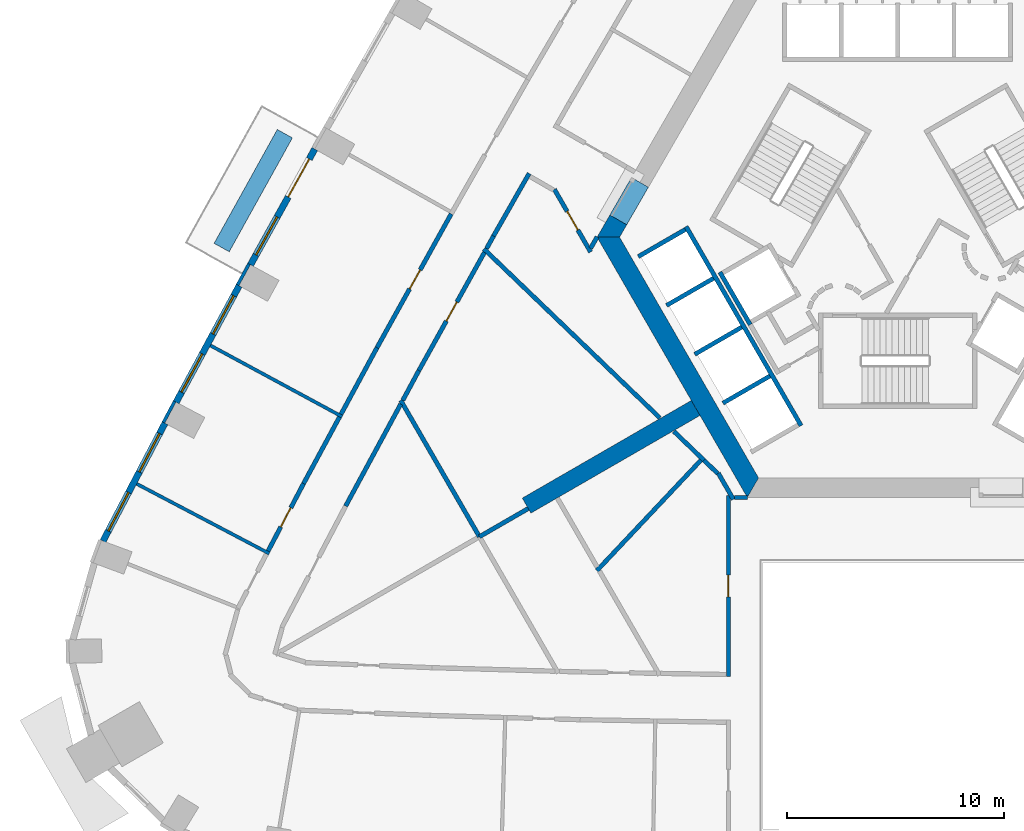
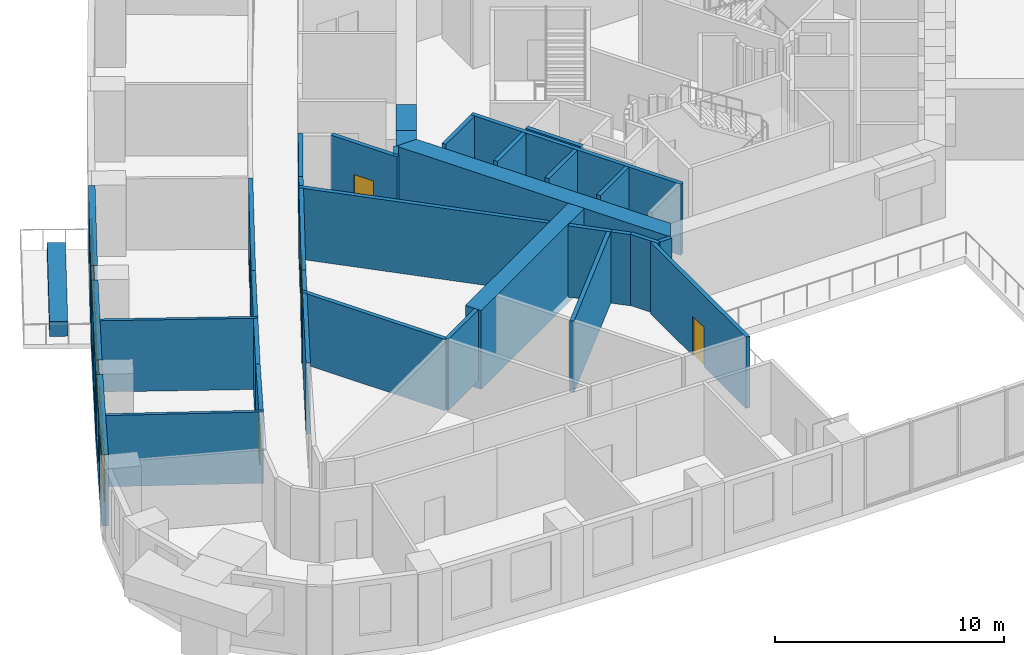
# One storey, part 5 of 15: 38 walls, 6 doors, 5 windows, 11 openings.
"""IFC4 building model written with IfcOpenShell, lengths in metres."""

from ifc_helpers import new_model, si_unit, direction, frame, frame_2d, origin, place, context, subcontext, project, spatial, polyline, rectangle, outline, extrude, material, layer, layer_set, type_object, element, fill, save


model = new_model("IFC4")

# Units and contexts
model_context = context("Model", 3, precision=1e-05, world=origin(), true_north=direction((0.0, 1.0)))
body_context = subcontext(model_context, "Body", "Model", "MODEL_VIEW")
ifc_project = project(units=[si_unit("LENGTHUNIT", "METRE"), si_unit("AREAUNIT", "SQUARE_METRE"), si_unit("VOLUMEUNIT", "CUBIC_METRE"), si_unit("PLANEANGLEUNIT", "RADIAN"), si_unit("MASSUNIT", "GRAM", prefix="KILO")], contexts=[model_context])

# Site, building, storey
site_placement = place(None, origin())
site = spatial("IfcSite", under=ifc_project, at=site_placement, CompositionType="ELEMENT")
building_placement = place(site_placement, origin())
building = spatial("IfcBuilding", under=site, at=building_placement, Name="Entoto Arch Interchange Tower", CompositionType="ELEMENT")
storey_placement = place(building_placement, frame((0.0, 0.0, 107.60009765625)))
storey = spatial("IfcBuildingStorey", under=building, at=storey_placement, Name="L23", CompositionType="ELEMENT", Elevation=107.60009765625)

# Walls
ifc_material_1 = material(Name="Concrete C60/75", Category="concrete")
ifc_layer_1 = layer(ifc_material_1, 0.800048828125)
ifc_layer_set_1 = layer_set([ifc_layer_1], Name="Concrete C60/75")
wall_type_1 = type_object("IfcWallType", Name="Buttress wall 800 C60/75", PredefinedType="SHEAR", material=ifc_layer_set_1)
wall_1_placement = place(storey_placement, frame((-9.31005859375, -5.375, -0.400146484375), z_axis=(0.0, 0.0, 1.0), x_axis=(-0.866017533419, -0.500013631625, 0.0)))
element("IfcWall", 1, at=wall_1_placement, inside=storey, type_object=wall_type_1, Name="Buttress wall SW L23", PredefinedType="SHEAR", context=body_context, shape_type="SweptSolid", body=[
    extrude(rectangle(XDim=8.999755859375, YDim=0.800048828125, at=frame_2d((4.5, 0.0))), origin(), (0.0, 0.0, 1.0), 4.199951171875),
])
ifc_layer_2 = layer(ifc_material_1, 0.89990234375)
ifc_layer_set_2 = layer_set([ifc_layer_2], Name="Concrete C60/75")
wall_type_2 = type_object("IfcWallType", Name="Core wall 900 C60/75", PredefinedType="SHEAR", material=ifc_layer_set_2)
wall_2_placement = place(storey_placement, frame((0.0, 0.0, -0.400146484375)))
element("IfcWall", 2, at=wall_2_placement, inside=storey, type_object=wall_type_2, Name="Core wall NW L23", PredefinedType="SHEAR", context=body_context, shape_type="SweptSolid", body=[
    extrude(outline(polyline([(-12.488037109375, 3.070068359375), (-13.26708984375, 3.52001953125), (-13.85595703125, 2.5), (-12.81689453125, 2.5), (-12.488037109375, 3.070068359375)])), origin(), (0.0, 0.0, 1.0), 4.199951171875),
])
wall_3_placement = place(storey_placement, frame((0.0, 0.0, 3.599853515625)))
element("IfcWall", 3, at=wall_3_placement, inside=storey, type_object=wall_type_2, Name="Core wall lintel NW L23", PredefinedType="SHEAR", context=body_context, shape_type="SweptSolid", body=[
    extrude(outline(polyline([(-13.26708984375, 3.52001953125), (-12.488037109375, 3.070068359375), (-11.488037109375, 4.802001953125), (-12.26708984375, 5.251953125), (-13.26708984375, 3.52001953125)])), origin(), (0.0, 0.0, 1.0), 0.199951171875),
])
wall_4_placement = place(storey_placement, frame((0.0, 0.0, -0.400146484375)))
element("IfcWall", 4, at=wall_4_placement, inside=storey, type_object=wall_type_2, Name="Core wall SW L23", PredefinedType="SHEAR", context=body_context, shape_type="SweptSolid", body=[
    extrude(outline(polyline([(-13.85595703125, 2.5), (-6.927978515625, -9.5), (-6.408935546875, -8.60009765625), (-12.81689453125, 2.5), (-13.85595703125, 2.5)])), origin(), (0.0, 0.0, 1.0), 4.199951171875),
])
ifc_material_2 = material(Name="Concrete C40/50", Category="concrete")
ifc_layer_3 = layer(ifc_material_2, 0.199951171875)
ifc_layer_set_3 = layer_set([ifc_layer_3], Name="Concrete C40/50")
wall_type_3 = type_object("IfcWallType", Name="LIFT SHAFT WALL 200", PredefinedType="STANDARD", material=ifc_layer_set_3)
wall_5_placement = place(storey_placement, frame((-8.19189453125, 0.887939453125, 0.0), z_axis=(0.0, 0.0, 1.0), x_axis=(0.49994636267, -0.866056369097, 0.0)))
element("IfcWall", 5, at=wall_5_placement, inside=storey, type_object=wall_type_3, Name="Shaft wall SW1 back", PredefinedType="STANDARD", context=body_context, shape_type="SweptSolid", body=[
    extrude(rectangle(XDim=2.800048828125, YDim=0.199951171875, at=frame_2d((1.39990234375, 0.0))), origin(), (0.0, 0.0, 1.0), 3.7998046875),
])
wall_6_placement = place(storey_placement, frame((-9.7509765625, 2.989990234375, 0.0), z_axis=(0.0, 0.0, 1.0), x_axis=(0.50000090737, -0.866024879913, 0.0)))
element("IfcWall", 6, at=wall_6_placement, inside=storey, type_object=wall_type_3, Name="Shaft wall SW3 front", PredefinedType="STANDARD", context=body_context, shape_type="SweptSolid", body=[
    extrude(rectangle(XDim=10.60009765625, YDim=0.199951171875, at=frame_2d((5.300048828125, 0.0))), origin(), (0.0, 0.0, 1.0), 3.7998046875),
])
wall_7_placement = place(storey_placement, frame((-9.7880859375, 2.85302734375, 0.0), z_axis=(0.0, 0.0, 1.0), x_axis=(-0.865998541277, -0.500046524342, 0.0)))
element("IfcWall", 7, at=wall_7_placement, inside=storey, type_object=wall_type_3, Name="Shaft wall SW3 cross 1", PredefinedType="STANDARD", context=body_context, shape_type="SweptSolid", body=[
    extrude(rectangle(XDim=2.499755859375, YDim=0.199951171875, at=frame_2d((1.25, 0.0))), origin(), (0.0, 0.0, 1.0), 3.7998046875),
])
for number, where, z_axis, x_axis, name in (
    (8, (-8.488037109375, 0.60205078125, 0.0), (0.0, 0.0, 1.0), (-0.866022959057, -0.500004234368, 0.0), "Shaft wall SW3 cross 2"),
    (9, (-7.18798828125, -1.64990234375, 0.0), (0.0, 0.0, 1.0), (-0.866022959057, -0.500004234368, 0.0), "Shaft wall SW3 cross 3"),
    (10, (-5.887939453125, -3.902099609375, 0.0), (0.0, 0.0, 1.0), (-0.866022959057, -0.500004234368, 0.0), "Shaft wall SW3 cross 4"),
):
    element("IfcWall", number, at=place(storey_placement, frame(where, z_axis=z_axis, x_axis=x_axis)), inside=storey, type_object=wall_type_3, Name=name, PredefinedType="STANDARD", context=body_context, shape_type="SweptSolid", body=[
        extrude(rectangle(XDim=2.5, YDim=0.199951171875, at=frame_2d((1.25, 0.0))), origin(), (0.0, 0.0, 1.0), 3.7998046875),
    ])
ifc_material_3 = material(Name="Gypsum board partition on steel studs", Category="steel")
ifc_layer_4 = layer(ifc_material_3, 0.14990234375)
ifc_layer_set_4 = layer_set([ifc_layer_4], Name="Gypsum board partition on steel studs")
wall_type_4 = type_object("IfcWallType", Name="PARTITION 150", PredefinedType="PARTITIONING", material=ifc_layer_set_4)
wall_8_placement = place(storey_placement, frame((-25.60595703125, -5.77490234375, 0.0), z_axis=(0.0, 0.0, 1.0), x_axis=(-0.87974530848, 0.475445256793, 0.0)))
element("IfcWall", 11, at=wall_8_placement, inside=storey, type_object=wall_type_4, Name="wall:L23:p150", PredefinedType="PARTITIONING", context=body_context, shape_type="SweptSolid", body=[
    extrude(rectangle(XDim=6.90087890625, YDim=0.14990234375, at=frame_2d((3.450439453125, 0.0))), origin(), (0.0, 0.0, 1.0), 3.7998046875),
])
wall_9_placement = place(storey_placement, frame((-28.968994140625, -12.083984375, 0.0), z_axis=(0.0, 0.0, 1.0), x_axis=(-0.885142220222, 0.465320588391, 0.0)))
element("IfcWall", 12, at=wall_9_placement, inside=storey, type_object=wall_type_4, Name="wall:L23:p151", PredefinedType="PARTITIONING", context=body_context, shape_type="SweptSolid", body=[
    extrude(rectangle(XDim=6.900390625, YDim=0.14990234375, at=frame_2d((3.4501953125, 0.0))), origin(), (0.0, 0.0, 1.0), 3.7998046875),
])
ifc_layer_5 = layer(ifc_material_3, 0.199951171875)
ifc_layer_set_5 = layer_set([ifc_layer_5], Name="Gypsum board partition on steel studs")
wall_type_5 = type_object("IfcWallType", Name="PARTITION 200", PredefinedType="PARTITIONING", material=ifc_layer_set_5)
wall_10_placement = place(storey_placement, frame((-13.85009765625, 2.513916015625, 0.0), z_axis=(0.0, 0.0, 1.0), x_axis=(-0.500418219013, -0.865783810244, 0.0)))
element("IfcWall", 13, at=wall_10_placement, inside=storey, type_object=wall_type_5, Name="wall:L23:p027", PredefinedType="PARTITIONING", context=body_context, shape_type="SweptSolid", body=[
    extrude(rectangle(XDim=0.607421875, YDim=0.199951171875, at=frame_2d((0.3037109375, 0.0))), origin(), (0.0, 0.0, 1.0), 3.7998046875),
])

# Wall, opening, door
wall_11_placement = place(storey_placement, frame((-14.154052734375, 1.81494140625, 0.0), z_axis=(0.0, 0.0, 1.0), x_axis=(-0.500038857296, 0.866002968352, 0.0)))
wall_11 = element("IfcWall", 14, at=wall_11_placement, inside=storey, type_object=wall_type_5, Name="wall:L23:p028", PredefinedType="PARTITIONING", context=body_context, shape_type="SweptSolid", body=[
    extrude(rectangle(XDim=3.339599609375, YDim=0.199951171875, at=frame_2d((1.669921875, 0.0))), origin(), (0.0, 0.0, 1.0), 3.7998046875),
])
opening_1_placement = place(wall_11_placement, frame((1.169921875, 0.0, 0.0)))
opening_1 = element("IfcOpeningElement", 15, at=opening_1_placement, cuts=wall_11, Name="Opening L23-D26", PredefinedType="OPENING", context=body_context, shape_type="SweptSolid", body=[
    extrude(rectangle(XDim=1.0, YDim=2.10009765625, at=frame_2d((0.5, 1.050048828125))), frame((0.0, 0.10986328125, 0.0), z_axis=(0.0, -1.0, 0.0), x_axis=(1.0, 0.0, 0.0)), (0.0, 0.0, 1.0), 0.219970703125),
])
ifc_material_4 = material(Name="Timber door leaf in Steel S235 frame", Category="steel")
door_type_1 = type_object("IfcDoorType", Name="DOOR DS-10 1000x2100", OperationType="SINGLE_SWING_LEFT", PredefinedType="DOOR", material=ifc_material_4)
door_1_placement = place(opening_1_placement, origin())
door_1 = element("IfcDoor", 16, at=door_1_placement, inside=storey, type_object=door_type_1, Name="door:L23:26", OperationType="SINGLE_SWING_LEFT", OverallHeight=2.10009765625, OverallWidth=1.0, PredefinedType="DOOR", context=body_context, shape_type="SweptSolid", body=[
    extrude(rectangle(XDim=1.0, YDim=2.10009765625, at=frame_2d((0.5, 1.050048828125))), frame((0.0, 0.02490234375, 0.0), z_axis=(0.0, -1.0, 0.0), x_axis=(1.0, 0.0, 0.0)), (0.0, 0.0, 1.0), 0.050048828125),
])
fill(opening_1, door_1)

# Walls
wall_12_placement = place(storey_placement, frame((-16.986083984375, 5.43603515625, 0.0), z_axis=(0.0, 0.0, 1.0), x_axis=(-0.49514688151, -0.868809280412, 0.0)))
element("IfcWall", 17, at=wall_12_placement, inside=storey, type_object=wall_type_5, Name="wall:L23:p030", PredefinedType="PARTITIONING", context=body_context, shape_type="SweptSolid", body=[
    extrude(rectangle(XDim=3.31396484375, YDim=0.199951171875, at=frame_2d((1.656982421875, 0.0))), origin(), (0.0, 0.0, 1.0), 3.7998046875),
])
wall_13_placement = place(storey_placement, frame((-18.626953125, 2.556884765625, 0.0), z_axis=(0.0, 0.0, 1.0), x_axis=(-0.484771582084, -0.874640790956, 0.0)))
element("IfcWall", 18, at=wall_13_placement, inside=storey, type_object=wall_type_5, Name="wall:L23:p031", PredefinedType="PARTITIONING", context=body_context, shape_type="SweptSolid", body=[
    extrude(rectangle(XDim=0.666259765625, YDim=0.199951171875, at=frame_2d((0.3330078125, 0.0))), origin(), (0.0, 0.0, 1.0), 3.7998046875),
])

# Wall, opening, door
wall_14_placement = place(storey_placement, frame((-19.047119140625, 1.799072265625, 0.0), z_axis=(0.0, 0.0, 1.0), x_axis=(-0.485240396382, -0.87438078531, 0.0)))
wall_14 = element("IfcWall", 19, at=wall_14_placement, inside=storey, type_object=wall_type_5, Name="wall:L23:p033", PredefinedType="PARTITIONING", context=body_context, shape_type="SweptSolid", body=[
    extrude(rectangle(XDim=6.231689453125, YDim=0.199951171875, at=frame_2d((3.11572265625, 0.0))), origin(), (0.0, 0.0, 1.0), 3.7998046875),
])
opening_2_placement = place(wall_14_placement, frame((2.615966796875, 0.0, 0.0)))
opening_2 = element("IfcOpeningElement", 20, at=opening_2_placement, cuts=wall_14, Name="Opening L23-D28", PredefinedType="OPENING", context=body_context, shape_type="SweptSolid", body=[
    extrude(rectangle(XDim=1.0, YDim=2.10009765625, at=frame_2d((0.5, 1.050048828125))), frame((0.0, 0.10986328125, 0.0), z_axis=(0.0, -1.0, 0.0), x_axis=(1.0, 0.0, 0.0)), (0.0, 0.0, 1.0), 0.219970703125),
])
door_2_placement = place(opening_2_placement, origin())
door_2 = element("IfcDoor", 21, at=door_2_placement, inside=storey, type_object=door_type_1, Name="door:L23:28", OperationType="SINGLE_SWING_LEFT", OverallHeight=2.10009765625, OverallWidth=1.0, PredefinedType="DOOR", context=body_context, shape_type="SweptSolid", body=[
    extrude(rectangle(XDim=1.0, YDim=2.10009765625, at=frame_2d((0.5, 1.050048828125))), frame((0.0, 0.02490234375, 0.0), z_axis=(0.0, -1.0, 0.0), x_axis=(1.0, 0.0, 0.0)), (0.0, 0.0, 1.0), 0.050048828125),
])
fill(opening_2, door_2)

# Walls
wall_15_placement = place(storey_placement, frame((-22.071044921875, -3.64990234375, 0.0), z_axis=(0.0, 0.0, 1.0), x_axis=(-0.475212034938, -0.879871309823, 0.0)))
element("IfcWall", 22, at=wall_15_placement, inside=storey, type_object=wall_type_5, Name="wall:L23:p034", PredefinedType="PARTITIONING", context=body_context, shape_type="SweptSolid", body=[
    extrude(rectangle(XDim=1.55712890625, YDim=0.199951171875, at=frame_2d((0.778564453125, 0.0))), origin(), (0.0, 0.0, 1.0), 3.7998046875),
])
wall_16_placement = place(storey_placement, frame((-22.906005859375, -5.196044921875, 0.0), z_axis=(0.0, 0.0, 1.0), x_axis=(-0.475448213767, -0.879743710421, 0.0)))
element("IfcWall", 23, at=wall_16_placement, inside=storey, type_object=wall_type_5, Name="wall:L23:p037", PredefinedType="PARTITIONING", context=body_context, shape_type="SweptSolid", body=[
    extrude(rectangle(XDim=5.342529296875, YDim=0.199951171875, at=frame_2d((2.67138671875, 0.0))), origin(), (0.0, 0.0, 1.0), 3.7998046875),
])
wall_17_placement = place(storey_placement, frame((-25.657958984375, -5.660888671875, 0.0), z_axis=(0.0, 0.0, 1.0), x_axis=(0.47543942367, 0.87974846088, 0.0)))
element("IfcWall", 24, at=wall_17_placement, inside=storey, type_object=wall_type_5, Name="wall:L23:p070", PredefinedType="PARTITIONING", context=body_context, shape_type="SweptSolid", body=[
    extrude(rectangle(XDim=3.4873046875, YDim=0.199951171875, at=frame_2d((1.74365234375, 0.0))), origin(), (0.0, 0.0, 1.0), 3.7998046875),
])

# Wall, opening, door
wall_18_placement = place(storey_placement, frame((-24.0, -2.593017578125, 0.0), z_axis=(0.0, 0.0, 1.0), x_axis=(0.485148833338, 0.874431592242, 0.0)))
wall_18 = element("IfcWall", 25, at=wall_18_placement, inside=storey, type_object=wall_type_5, Name="wall:L23:p071", PredefinedType="PARTITIONING", context=body_context, shape_type="SweptSolid", body=[
    extrude(rectangle(XDim=7.04931640625, YDim=0.199951171875, at=frame_2d((3.524658203125, 0.0))), origin(), (0.0, 0.0, 1.0), 3.7998046875),
])
opening_3_placement = place(wall_18_placement, frame((3.09912109375, 0.0, 0.0)))
opening_3 = element("IfcOpeningElement", 26, at=opening_3_placement, cuts=wall_18, Name="Opening L23-D14", PredefinedType="OPENING", context=body_context, shape_type="SweptSolid", body=[
    extrude(rectangle(XDim=1.0, YDim=2.10009765625, at=frame_2d((0.5, 1.050048828125))), frame((0.0, 0.10986328125, 0.0), z_axis=(0.0, -1.0, 0.0), x_axis=(1.0, 0.0, 0.0)), (0.0, 0.0, 1.0), 0.219970703125),
])
door_3_placement = place(opening_3_placement, origin())
door_3 = element("IfcDoor", 27, at=door_3_placement, inside=storey, type_object=door_type_1, Name="door:L23:14", OperationType="SINGLE_SWING_LEFT", OverallHeight=2.10009765625, OverallWidth=1.0, PredefinedType="DOOR", context=body_context, shape_type="SweptSolid", body=[
    extrude(rectangle(XDim=1.0, YDim=2.10009765625, at=frame_2d((0.5, 1.050048828125))), frame((0.0, 0.02490234375, 0.0), z_axis=(0.0, -1.0, 0.0), x_axis=(1.0, 0.0, 0.0)), (0.0, 0.0, 1.0), 0.050048828125),
])
fill(opening_3, door_3)

wall_19_placement = place(storey_placement, frame((-29.02294921875, -11.971923828125, 0.0), z_axis=(0.0, 0.0, 1.0), x_axis=(0.465457263931, 0.885070356217, 0.0)))
wall_19 = element("IfcWall", 28, at=wall_19_placement, inside=storey, type_object=wall_type_5, Name="wall:L23:p072", PredefinedType="PARTITIONING", context=body_context, shape_type="SweptSolid", body=[
    extrude(rectangle(XDim=3.514892578125, YDim=0.199951171875, at=frame_2d((1.75732421875, 0.0))), origin(), (0.0, 0.0, 1.0), 3.7998046875),
])
opening_4_placement = place(wall_19_placement, frame((1.257080078125, 0.0, 0.0)))
opening_4 = element("IfcOpeningElement", 29, at=opening_4_placement, cuts=wall_19, Name="Opening L23-D15", PredefinedType="OPENING", context=body_context, shape_type="SweptSolid", body=[
    extrude(rectangle(XDim=1.0, YDim=2.10009765625, at=frame_2d((0.5, 1.050048828125))), frame((0.0, 0.10986328125, 0.0), z_axis=(0.0, -1.0, 0.0), x_axis=(1.0, 0.0, 0.0)), (0.0, 0.0, 1.0), 0.219970703125),
])
door_4_placement = place(opening_4_placement, origin())
door_4 = element("IfcDoor", 30, at=door_4_placement, inside=storey, type_object=door_type_1, Name="door:L23:15", OperationType="SINGLE_SWING_RIGHT", OverallHeight=2.10009765625, OverallWidth=1.0, PredefinedType="DOOR", context=body_context, shape_type="SweptSolid", body=[
    extrude(rectangle(XDim=1.0, YDim=2.10009765625, at=frame_2d((0.5, 1.050048828125))), frame((0.0, 0.02490234375, 0.0), z_axis=(0.0, -1.0, 0.0), x_axis=(1.0, 0.0, 0.0)), (0.0, 0.0, 1.0), 0.050048828125),
])
fill(opening_4, door_4)

# Walls
wall_20_placement = place(storey_placement, frame((-27.386962890625, -8.861083984375, 0.0), z_axis=(0.0, 0.0, 1.0), x_axis=(0.475193364801, 0.879881393171, 0.0)))
element("IfcWall", 31, at=wall_20_placement, inside=storey, type_object=wall_type_5, Name="wall:L23:p073", PredefinedType="PARTITIONING", context=body_context, shape_type="SweptSolid", body=[
    extrude(rectangle(XDim=3.487060546875, YDim=0.199951171875, at=frame_2d((1.74365234375, 0.0))), origin(), (0.0, 0.0, 1.0), 3.7998046875),
])
wall_21_placement = place(storey_placement, frame((-7.52197265625, -9.4990234375, 0.0), z_axis=(0.0, 0.0, 1.0), x_axis=(1.0, 0.0, 0.0)))
element("IfcWall", 32, at=wall_21_placement, inside=storey, type_object=wall_type_5, Name="wall:L23:p116", PredefinedType="PARTITIONING", context=body_context, shape_type="SweptSolid", body=[
    extrude(rectangle(XDim=0.593017578125, YDim=0.199951171875, at=frame_2d((0.29638671875, 0.0))), origin(), (0.0, 0.0, 1.0), 3.7998046875),
])

# Wall, opening, door
wall_22_placement = place(storey_placement, frame((-7.800048828125, -17.764892578125, 0.0), z_axis=(0.0, 0.0, 1.0), x_axis=(0.0, 1.0, 0.0)))
wall_22 = element("IfcWall", 33, at=wall_22_placement, inside=storey, type_object=wall_type_5, Name="wall:L23:p117", PredefinedType="PARTITIONING", context=body_context, shape_type="SweptSolid", body=[
    extrude(rectangle(XDim=8.365966796875, YDim=0.199951171875, at=frame_2d((4.18310546875, 0.0))), origin(), (0.0, 0.0, 1.0), 3.7998046875),
])
opening_5_placement = place(wall_22_placement, frame((3.68310546875, 0.0, 0.0)))
opening_5 = element("IfcOpeningElement", 34, at=opening_5_placement, cuts=wall_22, Name="Opening L23-D27", PredefinedType="OPENING", context=body_context, shape_type="SweptSolid", body=[
    extrude(rectangle(XDim=1.0, YDim=2.10009765625, at=frame_2d((0.5, 1.050048828125))), frame((0.0, 0.10986328125, 0.0), z_axis=(0.0, -1.0, 0.0), x_axis=(1.0, 0.0, 0.0)), (0.0, 0.0, 1.0), 0.219970703125),
])
door_5_placement = place(opening_5_placement, origin())
door_5 = element("IfcDoor", 35, at=door_5_placement, inside=storey, type_object=door_type_1, Name="door:L23:27", OperationType="SINGLE_SWING_RIGHT", OverallHeight=2.10009765625, OverallWidth=1.0, PredefinedType="DOOR", context=body_context, shape_type="SweptSolid", body=[
    extrude(rectangle(XDim=1.0, YDim=2.10009765625, at=frame_2d((0.5, 1.050048828125))), frame((0.0, 0.02490234375, 0.0), z_axis=(0.0, -1.0, 0.0), x_axis=(1.0, 0.0, 0.0)), (0.0, 0.0, 1.0), 0.050048828125),
])
fill(opening_5, door_5)

# Walls
wall_23_placement = place(storey_placement, frame((-8.929931640625, -7.782958984375, 0.0), z_axis=(0.0, 0.0, 1.0), x_axis=(0.720954255291, -0.692982656189, 0.0)))
element("IfcWall", 36, at=wall_23_placement, inside=storey, type_object=wall_type_5, Name="wall:L23:p127", PredefinedType="PARTITIONING", context=body_context, shape_type="SweptSolid", body=[
    extrude(rectangle(XDim=0.890380859375, YDim=0.199951171875, at=frame_2d((0.4453125, 0.0))), origin(), (0.0, 0.0, 1.0), 3.7998046875),
])
wall_24_placement = place(storey_placement, frame((-7.572021484375, -9.5859375, 0.0), z_axis=(0.0, 0.0, 1.0), x_axis=(-0.499484152563, 0.866323023669, 0.0)))
element("IfcWall", 37, at=wall_24_placement, inside=storey, type_object=wall_type_5, Name="wall:L23:p128", PredefinedType="PARTITIONING", context=body_context, shape_type="SweptSolid", body=[
    extrude(rectangle(XDim=1.3896484375, YDim=0.199951171875, at=frame_2d((0.69482421875, 0.0))), origin(), (0.0, 0.0, 1.0), 3.7998046875),
])
wall_25_placement = place(storey_placement, frame((-8.929931640625, -7.782958984375, 0.0), z_axis=(0.0, 0.0, 1.0), x_axis=(-0.72124523191, 0.692679807305, 0.0)))
element("IfcWall", 38, at=wall_25_placement, inside=storey, type_object=wall_type_5, Name="wall:L23:p129", PredefinedType="PARTITIONING", context=body_context, shape_type="SweptSolid", body=[
    extrude(rectangle(XDim=1.923095703125, YDim=0.199951171875, at=frame_2d((0.96142578125, 0.0))), origin(), (0.0, 0.0, 1.0), 3.7998046875),
])
wall_26_placement = place(storey_placement, frame((-13.864990234375, -12.8759765625, 0.0), z_axis=(0.0, 0.0, 1.0), x_axis=(0.685651384846, 0.727930064263, 0.0)))
element("IfcWall", 39, at=wall_26_placement, inside=storey, type_object=wall_type_5, Name="wall:L23:p130", PredefinedType="PARTITIONING", context=body_context, shape_type="SweptSolid", body=[
    extrude(rectangle(XDim=7.091064453125, YDim=0.199951171875, at=frame_2d((3.54541015625, 0.0))), origin(), (0.0, 0.0, 1.0), 3.7998046875),
])
wall_27_placement = place(storey_placement, frame((-17.027099609375, -10.009033203125, 0.0), z_axis=(0.0, 0.0, 1.0), x_axis=(-0.865950948929, -0.500128937424, 0.0)))
element("IfcWall", 40, at=wall_27_placement, inside=storey, type_object=wall_type_5, Name="wall:L23:p133", PredefinedType="PARTITIONING", context=body_context, shape_type="SweptSolid", body=[
    extrude(rectangle(XDim=2.599365234375, YDim=0.199951171875, at=frame_2d((1.2998046875, 0.0))), origin(), (0.0, 0.0, 1.0), 3.7998046875),
])
wall_28_placement = place(storey_placement, frame((-19.278076171875, -11.30908203125, 0.0), z_axis=(0.0, 0.0, 1.0), x_axis=(-0.500044545065, 0.865999684151, 0.0)))
element("IfcWall", 41, at=wall_28_placement, inside=storey, type_object=wall_type_5, Name="wall:L23:p134", PredefinedType="PARTITIONING", context=body_context, shape_type="SweptSolid", body=[
    extrude(rectangle(XDim=7.260986328125, YDim=0.199951171875, at=frame_2d((3.63037109375, 0.0))), origin(), (0.0, 0.0, 1.0), 3.7998046875),
])
wall_29_placement = place(storey_placement, frame((-10.9599609375, -5.833984375, 0.0), z_axis=(0.0, 0.0, 1.0), x_axis=(-0.721236335428, 0.692689070549, 0.0)))
element("IfcWall", 42, at=wall_29_placement, inside=storey, type_object=wall_type_5, Name="wall:L23:p129", PredefinedType="PARTITIONING", context=body_context, shape_type="SweptSolid", body=[
    extrude(rectangle(XDim=11.24609375, YDim=0.199951171875, at=frame_2d((5.623046875, 0.0))), origin(), (0.0, 0.0, 1.0), 3.7998046875),
])
ifc_material_5 = material(Name="Board-marked precast concrete C50/60", Category="concrete")
ifc_layer_6 = layer(ifc_material_5, 0.800048828125)
ifc_layer_set_6 = layer_set([ifc_layer_6], Name="Board-marked precast concrete C50/60")
wall_type_6 = type_object("IfcWallType", Name="PLANTER RC 800 Afrocarpus falcatus", PredefinedType="STANDARD", material=ifc_layer_set_6)
wall_30_placement = place(storey_placement, frame((-28.248046875, 7.27099609375, 0.0), z_axis=(0.0, 0.0, 1.0), x_axis=(-0.485156044901, -0.874427591111, 0.0)))
element("IfcWall", 43, at=wall_30_placement, inside=storey, type_object=wall_type_6, Name="Planter NW-06 L23", PredefinedType="STANDARD", context=body_context, shape_type="SweptSolid", body=[
    extrude(rectangle(XDim=6.00390625, YDim=0.800048828125, at=frame_2d((3.001953125, 0.0))), origin(), (0.0, 0.0, 1.0), 0.7998046875),
])

# Wall, openings, door, window
ifc_material_6 = material(Name="Welded tuff (ignimbrite) cladding, warm buff", Category="masonry")
ifc_layer_7 = layer(ifc_material_6, 0.300048828125)
ifc_layer_set_7 = layer_set([ifc_layer_7], Name="Welded tuff (ignimbrite) cladding, warm buff")
wall_type_7 = type_object("IfcWallType", Name="STONE INFILL WALL 300", PredefinedType="STANDARD", material=ifc_layer_set_7)
wall_31_placement = place(storey_placement, frame((-26.868896484375, 6.56201171875, 0.0), z_axis=(0.0, 0.0, 1.0), x_axis=(-0.485170774404, -0.874419418623, 0.0)))
wall_31 = element("IfcWall", 44, at=wall_31_placement, inside=storey, type_object=wall_type_7, Name="Facade wall NW-06 L23", PredefinedType="STANDARD", context=body_context, shape_type="SweptSolid", body=[
    extrude(rectangle(XDim=6.103271484375, YDim=0.300048828125, at=frame_2d((3.0517578125, 0.0))), origin(), (0.0, 0.0, 1.0), 3.7998046875),
])
opening_6_placement = place(wall_31_placement, frame((0.52587890625, 0.0, 0.0)))
opening_6 = element("IfcOpeningElement", 45, at=opening_6_placement, cuts=wall_31, Name="Opening DB-NW-06-L23", PredefinedType="OPENING", context=body_context, shape_type="SweptSolid", body=[
    extrude(rectangle(XDim=2.0, YDim=2.39990234375, at=frame_2d((1.0, 1.199951171875))), frame((0.0, 0.16015625, 0.0), z_axis=(0.0, -1.0, 0.0), x_axis=(1.0, 0.0, 0.0)), (0.0, 0.0, 1.0), 0.320068359375),
])
opening_7_placement = place(wall_31_placement, frame((3.577880859375, 0.0, 0.89990234375)))
opening_7 = element("IfcOpeningElement", 46, at=opening_7_placement, cuts=wall_31, Name="Opening WO-C", PredefinedType="OPENING", context=body_context, shape_type="SweptSolid", body=[
    extrude(rectangle(XDim=2.0, YDim=2.60009765625, at=frame_2d((1.0, 1.300048828125))), frame((0.0, 0.16015625, 0.0), z_axis=(0.0, -1.0, 0.0), x_axis=(1.0, 0.0, 0.0)), (0.0, 0.0, 1.0), 0.320068359375),
])
ifc_material_7 = material(Name="Aluminium and clear glass, anodised", Category="aluminium")
door_type_2 = type_object("IfcDoorType", Name="BALCONY DOOR DB 2000x2400", OperationType="SLIDING_TO_LEFT", PredefinedType="DOOR", material=ifc_material_7)
door_6_placement = place(opening_6_placement, origin())
door_6 = element("IfcDoor", 47, at=door_6_placement, inside=storey, type_object=door_type_2, Name="Balcony door NW-06 L23", OperationType="SLIDING_TO_LEFT", OverallHeight=2.39990234375, OverallWidth=2.0, PredefinedType="DOOR", context=body_context, shape_type="SweptSolid", body=[
    extrude(rectangle(XDim=2.0, YDim=2.39990234375, at=frame_2d((1.0, 1.199951171875))), frame((0.0, 0.02490234375, 0.0), z_axis=(0.0, -1.0, 0.0), x_axis=(1.0, 0.0, 0.0)), (0.0, 0.0, 1.0), 0.050048828125),
])
fill(opening_6, door_6)
ifc_material_8 = material(Name="Clear glass, low-e double glazed", Category="glass")
window_type = type_object("IfcWindowType", Name="WINDOW WO-C 2000x2600", PartitioningType="DOUBLE_PANEL_VERTICAL", PredefinedType="WINDOW", material=ifc_material_8)
window_1_placement = place(opening_7_placement, origin())
window_1 = element("IfcWindow", 48, at=window_1_placement, inside=storey, type_object=window_type, Name="Window WO-C NW-06 L23", OverallHeight=2.60009765625, OverallWidth=2.0, PartitioningType="SINGLE_PANEL", PredefinedType="WINDOW", context=body_context, shape_type="SweptSolid", body=[
    extrude(rectangle(XDim=2.0, YDim=2.60009765625, at=frame_2d((1.0, 1.300048828125))), frame((0.0, 0.030029296875, 0.0), z_axis=(0.0, -1.0, 0.0), x_axis=(1.0, 0.0, 0.0)), (0.0, 0.0, 1.0), 0.06005859375),
])
fill(opening_7, window_1)

# Wall, openings, windows
wall_32_placement = place(storey_placement, frame((-30.35693359375, 0.261962890625, 0.0), z_axis=(0.0, 0.0, 1.0), x_axis=(-0.475573079782, -0.879676216449, 0.0)))
wall_32 = element("IfcWall", 49, at=wall_32_placement, inside=storey, type_object=wall_type_7, Name="Facade wall NW-07 L23", PredefinedType="STANDARD", context=body_context, shape_type="SweptSolid", body=[
    extrude(rectangle(XDim=6.1044921875, YDim=0.300048828125, at=frame_2d((3.05224609375, 0.0))), origin(), (0.0, 0.0, 1.0), 3.7998046875),
])
opening_8_placement = place(wall_32_placement, frame((0.52587890625, 0.0, 0.89990234375)))
opening_8 = element("IfcOpeningElement", 50, at=opening_8_placement, cuts=wall_32, Name="Opening WO-C", PredefinedType="OPENING", context=body_context, shape_type="SweptSolid", body=[
    extrude(rectangle(XDim=2.0, YDim=2.60009765625, at=frame_2d((1.0, 1.300048828125))), frame((0.0, 0.16015625, 0.0), z_axis=(0.0, -1.0, 0.0), x_axis=(1.0, 0.0, 0.0)), (0.0, 0.0, 1.0), 0.320068359375),
])
opening_9_placement = place(wall_32_placement, frame((3.577880859375, 0.0, 0.89990234375)))
opening_9 = element("IfcOpeningElement", 51, at=opening_9_placement, cuts=wall_32, Name="Opening WO-C", PredefinedType="OPENING", context=body_context, shape_type="SweptSolid", body=[
    extrude(rectangle(XDim=2.0, YDim=2.60009765625, at=frame_2d((1.0, 1.300048828125))), frame((0.0, 0.16015625, 0.0), z_axis=(0.0, -1.0, 0.0), x_axis=(1.0, 0.0, 0.0)), (0.0, 0.0, 1.0), 0.320068359375),
])
window_2_placement = place(opening_8_placement, origin())
window_2 = element("IfcWindow", 52, at=window_2_placement, inside=storey, type_object=window_type, Name="Window WO-C NW-07 L23", OverallHeight=2.60009765625, OverallWidth=2.0, PartitioningType="SINGLE_PANEL", PredefinedType="WINDOW", context=body_context, shape_type="SweptSolid", body=[
    extrude(rectangle(XDim=2.0, YDim=2.60009765625, at=frame_2d((1.0, 1.300048828125))), frame((0.0, 0.030029296875, 0.0), z_axis=(0.0, -1.0, 0.0), x_axis=(1.0, 0.0, 0.0)), (0.0, 0.0, 1.0), 0.06005859375),
])
fill(opening_8, window_2)
window_3_placement = place(opening_9_placement, origin())
window_3 = element("IfcWindow", 53, at=window_3_placement, inside=storey, type_object=window_type, Name="Window WO-C NW-07 L23", OverallHeight=2.60009765625, OverallWidth=2.0, PartitioningType="SINGLE_PANEL", PredefinedType="WINDOW", context=body_context, shape_type="SweptSolid", body=[
    extrude(rectangle(XDim=2.0, YDim=2.60009765625, at=frame_2d((1.0, 1.300048828125))), frame((0.0, 0.030029296875, 0.0), z_axis=(0.0, -1.0, 0.0), x_axis=(1.0, 0.0, 0.0)), (0.0, 0.0, 1.0), 0.06005859375),
])
fill(opening_9, window_3)

wall_33_placement = place(storey_placement, frame((-33.77587890625, -6.076904296875, 0.0), z_axis=(0.0, 0.0, 1.0), x_axis=(-0.465380908665, -0.88511050714, 0.0)))
wall_33 = element("IfcWall", 54, at=wall_33_placement, inside=storey, type_object=wall_type_7, Name="Facade wall NW-08 L23", PredefinedType="STANDARD", context=body_context, shape_type="SweptSolid", body=[
    extrude(rectangle(XDim=6.139404296875, YDim=0.300048828125, at=frame_2d((3.06982421875, 0.0))), origin(), (0.0, 0.0, 1.0), 3.7998046875),
])
opening_10_placement = place(wall_33_placement, frame((0.534912109375, 0.0, 0.89990234375)))
opening_10 = element("IfcOpeningElement", 55, at=opening_10_placement, cuts=wall_33, Name="Opening WO-C", PredefinedType="OPENING", context=body_context, shape_type="SweptSolid", body=[
    extrude(rectangle(XDim=2.0, YDim=2.60009765625, at=frame_2d((1.0, 1.300048828125))), frame((0.0, 0.16015625, 0.0), z_axis=(0.0, -1.0, 0.0), x_axis=(1.0, 0.0, 0.0)), (0.0, 0.0, 1.0), 0.320068359375),
])
opening_11_placement = place(wall_33_placement, frame((3.60400390625, 0.0, 0.89990234375)))
opening_11 = element("IfcOpeningElement", 56, at=opening_11_placement, cuts=wall_33, Name="Opening WO-C", PredefinedType="OPENING", context=body_context, shape_type="SweptSolid", body=[
    extrude(rectangle(XDim=2.0, YDim=2.60009765625, at=frame_2d((1.0, 1.300048828125))), frame((0.0, 0.16015625, 0.0), z_axis=(0.0, -1.0, 0.0), x_axis=(1.0, 0.0, 0.0)), (0.0, 0.0, 1.0), 0.320068359375),
])
window_4_placement = place(opening_10_placement, origin())
window_4 = element("IfcWindow", 57, at=window_4_placement, inside=storey, type_object=window_type, Name="Window WO-C NW-08 L23", OverallHeight=2.60009765625, OverallWidth=2.0, PartitioningType="SINGLE_PANEL", PredefinedType="WINDOW", context=body_context, shape_type="SweptSolid", body=[
    extrude(rectangle(XDim=2.0, YDim=2.60009765625, at=frame_2d((1.0, 1.300048828125))), frame((0.0, 0.030029296875, 0.0), z_axis=(0.0, -1.0, 0.0), x_axis=(1.0, 0.0, 0.0)), (0.0, 0.0, 1.0), 0.06005859375),
])
fill(opening_10, window_4)
window_5_placement = place(opening_11_placement, origin())
window_5 = element("IfcWindow", 58, at=window_5_placement, inside=storey, type_object=window_type, Name="Window WO-C NW-08 L23", OverallHeight=2.60009765625, OverallWidth=2.0, PartitioningType="SINGLE_PANEL", PredefinedType="WINDOW", context=body_context, shape_type="SweptSolid", body=[
    extrude(rectangle(XDim=2.0, YDim=2.60009765625, at=frame_2d((1.0, 1.300048828125))), frame((0.0, 0.030029296875, 0.0), z_axis=(0.0, -1.0, 0.0), x_axis=(1.0, 0.0, 0.0)), (0.0, 0.0, 1.0), 0.06005859375),
])
fill(opening_11, window_5)

# Walls
ifc_layer_8 = layer(ifc_material_6, 0.14990234375)
ifc_layer_set_8 = layer_set([ifc_layer_8], Name="Welded tuff (ignimbrite) cladding, warm buff")
wall_type_8 = type_object("IfcWallType", Name="STONE PIER CLADDING 150", PredefinedType="STANDARD", material=ifc_layer_set_8)
wall_34_placement = place(storey_placement, frame((-29.89794921875, 1.263916015625, 0.0), z_axis=(0.0, 0.0, 1.0), x_axis=(-0.479737645119, -0.877411985247, 0.0)))
element("IfcWall", 59, at=wall_34_placement, inside=storey, type_object=wall_type_8, Name="Stone pier NW07 L23", PredefinedType="STANDARD", context=body_context, shape_type="SweptSolid", body=[
    extrude(rectangle(XDim=1.100830078125, YDim=0.14990234375, at=frame_2d((0.55029296875, 0.0))), origin(), (0.0, 0.0, 1.0), 3.7998046875),
])
wall_35_placement = place(storey_placement, frame((-33.3291015625, -5.071044921875, 0.0), z_axis=(0.0, 0.0, 1.0), x_axis=(-0.46919310775, -0.883095593716, 0.0)))
element("IfcWall", 60, at=wall_35_placement, inside=storey, type_object=wall_type_8, Name="Stone pier NW08 L23", PredefinedType="STANDARD", context=body_context, shape_type="SweptSolid", body=[
    extrude(rectangle(XDim=1.099365234375, YDim=0.14990234375, at=frame_2d((0.5498046875, 0.0))), origin(), (0.0, 0.0, 1.0), 3.7998046875),
])

save(model, "model.ifc")
